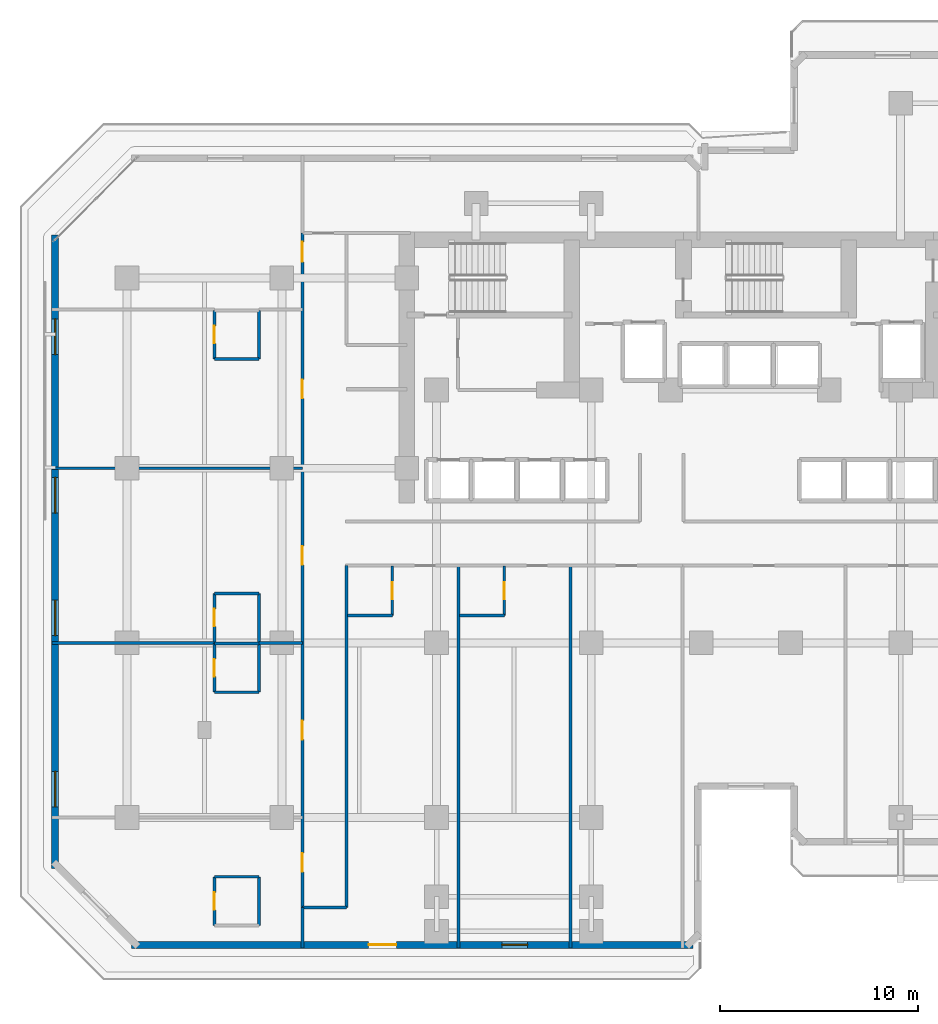
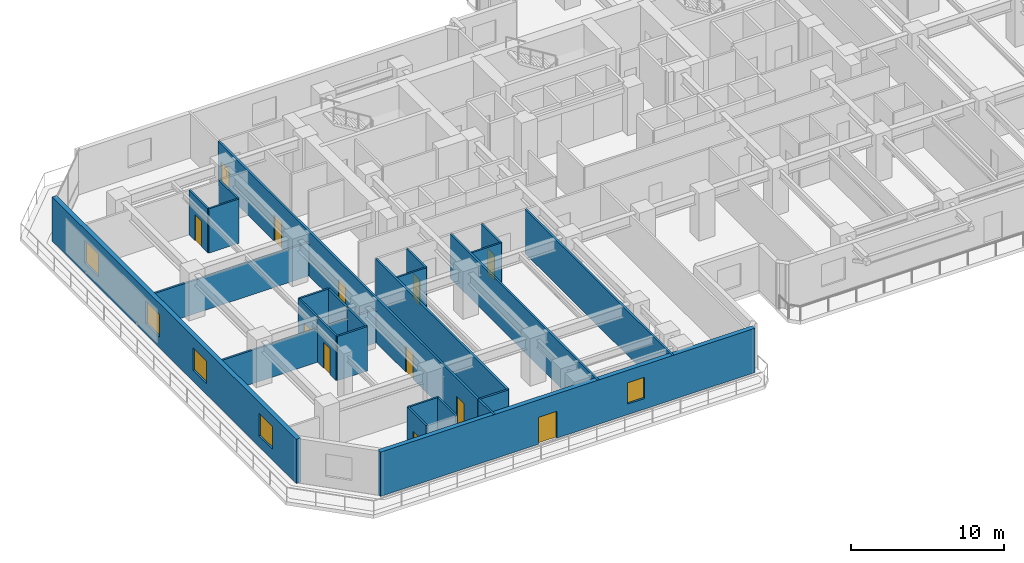
# One storey, part 6 of 12: 28 walls, 12 doors, 5 windows, 17 openings.
"""IFC4 building model written with IfcOpenShell, lengths in metres."""

from ifc_helpers import new_model, si_unit, direction, frame, frame_2d, origin, place, context, subcontext, project, spatial, rectangle, extrude, material, layer, layer_set, type_object, element, fill, save


model = new_model("IFC4")

# Units and contexts
model_context = context("Model", 3, precision=1e-05, world=origin(), true_north=direction((0.0, 1.0)))
body_context = subcontext(model_context, "Body", "Model", "MODEL_VIEW")
ifc_project = project(units=[si_unit("LENGTHUNIT", "METRE"), si_unit("AREAUNIT", "SQUARE_METRE"), si_unit("VOLUMEUNIT", "CUBIC_METRE"), si_unit("PLANEANGLEUNIT", "RADIAN"), si_unit("MASSUNIT", "GRAM", prefix="KILO")], contexts=[model_context])

# Site, building, storey
site_placement = place(None, origin())
site = spatial("IfcSite", under=ifc_project, at=site_placement, CompositionType="ELEMENT")
building_placement = place(site_placement, origin())
building = spatial("IfcBuilding", under=site, at=building_placement, Name="Kestravale Grand Hotel", CompositionType="ELEMENT")
storey_placement = place(building_placement, frame((0.0, 0.0, 80.39990234375)))
storey = spatial("IfcBuildingStorey", under=building, at=storey_placement, Name="L19", CompositionType="ELEMENT", Elevation=80.39990234375)

# Wall, openings, door, window
ifc_material_1 = material(Name="Precast concrete f'c 45 MPa", Category="concrete")
ifc_layer_1 = layer(ifc_material_1, 0.340087890625)
ifc_layer_set_1 = layer_set([ifc_layer_1], Name="EW-PREC-340")
wall_type_1 = type_object("IfcWallType", Name="EW-PREC-340", PredefinedType="SOLIDWALL", material=ifc_layer_set_1)
wall_1_placement = place(storey_placement, frame((8.030029296875, 4.77001953125, 0.0), z_axis=(0.0, 0.0, 1.0), x_axis=(1.0, 0.0, 0.0)))
wall_1 = element("IfcWall", 1, at=wall_1_placement, inside=storey, type_object=wall_type_1, Name="L19 fluted precast facade wall 1", PredefinedType="SOLIDWALL", context=body_context, shape_type="SweptSolid", body=[
    extrude(rectangle(XDim=28.2900390625, YDim=0.340087890625, at=frame_2d((14.14501953125, 0.0))), origin(), (0.0, 0.0, 1.0), 3.5400390625),
])
opening_1_placement = place(wall_1_placement, frame((11.945068359375, 0.0, 0.0)))
opening_1 = element("IfcOpeningElement", 2, at=opening_1_placement, cuts=wall_1, Name="Opening D-TERR-1400", PredefinedType="OPENING", context=body_context, shape_type="SweptSolid", body=[
    extrude(rectangle(XDim=1.39990234375, YDim=2.14990234375, at=frame_2d((0.699951171875, 1.074951171875))), frame((0.0, 0.179931640625, 0.0), z_axis=(0.0, -1.0, 0.0), x_axis=(1.0, 0.0, 0.0)), (0.0, 0.0, 1.0), 0.360107421875),
])
opening_2_placement = place(wall_1_placement, frame((18.659912109375, 0.0, 0.85009765625)))
opening_2 = element("IfcOpeningElement", 3, at=opening_2_placement, cuts=wall_1, Name="Opening W-GUEST-1300", PredefinedType="OPENING", context=body_context, shape_type="SweptSolid", body=[
    extrude(rectangle(XDim=1.300048828125, YDim=1.699951171875, at=frame_2d((0.64990234375, 0.85009765625))), frame((0.0, 0.179931640625, 0.0), z_axis=(0.0, -1.0, 0.0), x_axis=(1.0, 0.0, 0.0)), (0.0, 0.0, 1.0), 0.360107421875),
])
ifc_material_2 = material(Name="Insulated glazed champagne-bronze aluminium door", Category="aluminium")
door_type_1 = type_object("IfcDoorType", Name="D-TERR-1400", OperationType="NOTDEFINED", PredefinedType="DOOR", material=ifc_material_2)
door_1_placement = place(opening_1_placement, origin())
door_1 = element("IfcDoor", 4, at=door_1_placement, inside=storey, type_object=door_type_1, Name="L19 outdoor garden terrace door", OperationType="DOUBLE_DOOR_SINGLE_SWING", OverallHeight=2.14990234375, OverallWidth=1.39990234375, PredefinedType="DOOR", context=body_context, shape_type="SweptSolid", body=[
    extrude(rectangle(XDim=1.39990234375, YDim=2.14990234375, at=frame_2d((0.699951171875, 1.074951171875))), frame((0.0, 0.02490234375, 0.0), z_axis=(0.0, -1.0, 0.0), x_axis=(1.0, 0.0, 0.0)), (0.0, 0.0, 1.0), 0.050048828125),
])
fill(opening_1, door_1)
ifc_material_3 = material(Name="Insulated low-E double glazing in aluminium frame", Category="aluminium")
window_type_1 = type_object("IfcWindowType", Name="W-GUEST-1300", PartitioningType="SINGLE_PANEL", PredefinedType="WINDOW", material=ifc_material_3)
window_1_placement = place(opening_2_placement, origin())
window_1 = element("IfcWindow", 5, at=window_1_placement, inside=storey, type_object=window_type_1, Name="L19 guestroom envelope window 1", OverallHeight=1.699951171875, OverallWidth=1.300048828125, PartitioningType="SINGLE_PANEL", PredefinedType="WINDOW", context=body_context, shape_type="SweptSolid", body=[
    extrude(rectangle(XDim=1.300048828125, YDim=1.699951171875, at=frame_2d((0.64990234375, 0.85009765625))), frame((0.0, 0.030029296875, 0.0), z_axis=(0.0, -1.0, 0.0), x_axis=(1.0, 0.0, 0.0)), (0.0, 0.0, 1.0), 0.06005859375),
])
fill(opening_2, window_1)

# Wall, openings, windows
wall_2_placement = place(storey_placement, frame((4.169921875, 40.570068359375, 0.0), z_axis=(0.0, 0.0, 1.0), x_axis=(0.0, -1.0, 0.0)))
wall_2 = element("IfcWall", 6, at=wall_2_placement, inside=storey, type_object=wall_type_1, Name="L19 fluted precast facade wall 19", PredefinedType="SOLIDWALL", context=body_context, shape_type="SweptSolid", body=[
    extrude(rectangle(XDim=31.940185546875, YDim=0.340087890625, at=frame_2d((15.97021484375, 0.0))), origin(), (0.0, 0.0, 1.0), 3.5400390625),
])
opening_3_placement = place(wall_2_placement, frame((4.242431640625, 0.0, 0.85009765625)))
opening_3 = element("IfcOpeningElement", 7, at=opening_3_placement, cuts=wall_2, Name="Opening W-GUEST-1800", PredefinedType="OPENING", context=body_context, shape_type="SweptSolid", body=[
    extrude(rectangle(XDim=1.800048828125, YDim=1.800048828125, at=frame_2d((0.89990234375, 0.89990234375))), frame((0.0, 0.179931640625, 0.0), z_axis=(0.0, -1.0, 0.0), x_axis=(1.0, 0.0, 0.0)), (0.0, 0.0, 1.0), 0.360107421875),
])
opening_4_placement = place(wall_2_placement, frame((12.2275390625, 0.0, 0.85009765625)))
opening_4 = element("IfcOpeningElement", 8, at=opening_4_placement, cuts=wall_2, Name="Opening W-GUEST-1800", PredefinedType="OPENING", context=body_context, shape_type="SweptSolid", body=[
    extrude(rectangle(XDim=1.800048828125, YDim=1.800048828125, at=frame_2d((0.89990234375, 0.89990234375))), frame((0.0, 0.179931640625, 0.0), z_axis=(0.0, -1.0, 0.0), x_axis=(1.0, 0.0, 0.0)), (0.0, 0.0, 1.0), 0.360107421875),
])
opening_5_placement = place(wall_2_placement, frame((18.41259765625, 0.0, 0.85009765625)))
opening_5 = element("IfcOpeningElement", 9, at=opening_5_placement, cuts=wall_2, Name="Opening W-GUEST-1800", PredefinedType="OPENING", context=body_context, shape_type="SweptSolid", body=[
    extrude(rectangle(XDim=1.800048828125, YDim=1.800048828125, at=frame_2d((0.89990234375, 0.89990234375))), frame((0.0, 0.179931640625, 0.0), z_axis=(0.0, -1.0, 0.0), x_axis=(1.0, 0.0, 0.0)), (0.0, 0.0, 1.0), 0.360107421875),
])
opening_6_placement = place(wall_2_placement, frame((27.047607421875, 0.0, 0.85009765625)))
opening_6 = element("IfcOpeningElement", 10, at=opening_6_placement, cuts=wall_2, Name="Opening W-GUEST-1800", PredefinedType="OPENING", context=body_context, shape_type="SweptSolid", body=[
    extrude(rectangle(XDim=1.800048828125, YDim=1.800048828125, at=frame_2d((0.89990234375, 0.89990234375))), frame((0.0, 0.179931640625, 0.0), z_axis=(0.0, -1.0, 0.0), x_axis=(1.0, 0.0, 0.0)), (0.0, 0.0, 1.0), 0.360107421875),
])
ifc_material_4 = material(Name="Insulated low-E double glazing in aluminium frame", Category="aluminium")
window_type_2 = type_object("IfcWindowType", Name="W-GUEST-1800", PartitioningType="DOUBLE_PANEL_VERTICAL", PredefinedType="WINDOW", material=ifc_material_4)
window_2_placement = place(opening_3_placement, origin())
window_2 = element("IfcWindow", 11, at=window_2_placement, inside=storey, type_object=window_type_2, Name="L19 exterior window 19.1", OverallHeight=1.800048828125, OverallWidth=1.800048828125, PartitioningType="SINGLE_PANEL", PredefinedType="WINDOW", context=body_context, shape_type="SweptSolid", body=[
    extrude(rectangle(XDim=1.800048828125, YDim=1.800048828125, at=frame_2d((0.89990234375, 0.89990234375))), frame((0.0, 0.030029296875, 0.0), z_axis=(0.0, -1.0, 0.0), x_axis=(1.0, 0.0, 0.0)), (0.0, 0.0, 1.0), 0.06005859375),
])
fill(opening_3, window_2)
window_3_placement = place(opening_4_placement, origin())
window_3 = element("IfcWindow", 12, at=window_3_placement, inside=storey, type_object=window_type_2, Name="L19 exterior window 19.2", OverallHeight=1.800048828125, OverallWidth=1.800048828125, PartitioningType="SINGLE_PANEL", PredefinedType="WINDOW", context=body_context, shape_type="SweptSolid", body=[
    extrude(rectangle(XDim=1.800048828125, YDim=1.800048828125, at=frame_2d((0.89990234375, 0.89990234375))), frame((0.0, 0.030029296875, 0.0), z_axis=(0.0, -1.0, 0.0), x_axis=(1.0, 0.0, 0.0)), (0.0, 0.0, 1.0), 0.06005859375),
])
fill(opening_4, window_3)
window_4_placement = place(opening_5_placement, origin())
window_4 = element("IfcWindow", 13, at=window_4_placement, inside=storey, type_object=window_type_2, Name="L19 exterior window 19.3", OverallHeight=1.800048828125, OverallWidth=1.800048828125, PartitioningType="SINGLE_PANEL", PredefinedType="WINDOW", context=body_context, shape_type="SweptSolid", body=[
    extrude(rectangle(XDim=1.800048828125, YDim=1.800048828125, at=frame_2d((0.89990234375, 0.89990234375))), frame((0.0, 0.030029296875, 0.0), z_axis=(0.0, -1.0, 0.0), x_axis=(1.0, 0.0, 0.0)), (0.0, 0.0, 1.0), 0.06005859375),
])
fill(opening_5, window_4)
window_5_placement = place(opening_6_placement, origin())
window_5 = element("IfcWindow", 14, at=window_5_placement, inside=storey, type_object=window_type_2, Name="L19 exterior window 19.4", OverallHeight=1.800048828125, OverallWidth=1.800048828125, PartitioningType="SINGLE_PANEL", PredefinedType="WINDOW", context=body_context, shape_type="SweptSolid", body=[
    extrude(rectangle(XDim=1.800048828125, YDim=1.800048828125, at=frame_2d((0.89990234375, 0.89990234375))), frame((0.0, 0.030029296875, 0.0), z_axis=(0.0, -1.0, 0.0), x_axis=(1.0, 0.0, 0.0)), (0.0, 0.0, 1.0), 0.06005859375),
])
fill(opening_6, window_5)

# Wall, openings, doors
ifc_material_5 = material(Name="Acoustic fire-rated gypsum board partition", Category="other")
ifc_layer_2 = layer(ifc_material_5, 0.159912109375)
ifc_layer_set_2 = layer_set([ifc_layer_2], Name="IW-CORR-160")
wall_type_2 = type_object("IfcWallType", Name="IW-CORR-160", PredefinedType="PARTITIONING", material=ifc_layer_set_2)
wall_3_placement = place(storey_placement, frame((16.639892578125, 6.64990234375, 0.0), z_axis=(0.0, 0.0, 1.0), x_axis=(0.0, 1.0, 0.0)))
wall_3 = element("IfcWall", 15, at=wall_3_placement, inside=storey, type_object=wall_type_2, Name="W-L19-SW-W", PredefinedType="PARTITIONING", context=body_context, shape_type="SweptSolid", body=[
    extrude(rectangle(XDim=34.0, YDim=0.159912109375, at=frame_2d((17.0, 0.0))), origin(), (0.0, 0.0, 1.0), 3.5400390625),
])
opening_7_placement = place(wall_3_placement, frame((1.800048828125, 0.0, 0.0)))
opening_7 = element("IfcOpeningElement", 16, at=opening_7_placement, cuts=wall_3, Name="Opening D-GUEST-950", PredefinedType="OPENING", context=body_context, shape_type="SweptSolid", body=[
    extrude(rectangle(XDim=0.949951171875, YDim=2.10009765625, at=frame_2d((0.47509765625, 1.050048828125))), frame((0.0, 0.08984375, 0.0), z_axis=(0.0, -1.0, 0.0), x_axis=(1.0, 0.0, 0.0)), (0.0, 0.0, 1.0), 0.179931640625),
])
opening_8_placement = place(wall_3_placement, frame((8.47509765625, 0.0, 0.0)))
opening_8 = element("IfcOpeningElement", 17, at=opening_8_placement, cuts=wall_3, Name="Opening D-GUEST-950", PredefinedType="OPENING", context=body_context, shape_type="SweptSolid", body=[
    extrude(rectangle(XDim=0.949951171875, YDim=2.10009765625, at=frame_2d((0.47509765625, 1.050048828125))), frame((0.0, 0.08984375, 0.0), z_axis=(0.0, -1.0, 0.0), x_axis=(1.0, 0.0, 0.0)), (0.0, 0.0, 1.0), 0.179931640625),
])
opening_9_placement = place(wall_3_placement, frame((17.27490234375, 0.0, 0.0)))
opening_9 = element("IfcOpeningElement", 18, at=opening_9_placement, cuts=wall_3, Name="Opening D-GUEST-950", PredefinedType="OPENING", context=body_context, shape_type="SweptSolid", body=[
    extrude(rectangle(XDim=0.949951171875, YDim=2.10009765625, at=frame_2d((0.47509765625, 1.050048828125))), frame((0.0, 0.08984375, 0.0), z_axis=(0.0, -1.0, 0.0), x_axis=(1.0, 0.0, 0.0)), (0.0, 0.0, 1.0), 0.179931640625),
])
opening_10_placement = place(wall_3_placement, frame((25.675048828125, 0.0, 0.0)))
opening_10 = element("IfcOpeningElement", 19, at=opening_10_placement, cuts=wall_3, Name="Opening D-GUEST-950", PredefinedType="OPENING", context=body_context, shape_type="SweptSolid", body=[
    extrude(rectangle(XDim=0.949951171875, YDim=2.10009765625, at=frame_2d((0.47509765625, 1.050048828125))), frame((0.0, 0.08984375, 0.0), z_axis=(0.0, -1.0, 0.0), x_axis=(1.0, 0.0, 0.0)), (0.0, 0.0, 1.0), 0.179931640625),
])
opening_11_placement = place(wall_3_placement, frame((32.56005859375, 0.0, 0.0)))
opening_11 = element("IfcOpeningElement", 20, at=opening_11_placement, cuts=wall_3, Name="Opening D-GUEST-1000", PredefinedType="OPENING", context=body_context, shape_type="SweptSolid", body=[
    extrude(rectangle(XDim=1.0, YDim=2.14990234375, at=frame_2d((0.5, 1.074951171875))), frame((0.0, 0.08984375, 0.0), z_axis=(0.0, -1.0, 0.0), x_axis=(1.0, 0.0, 0.0)), (0.0, 0.0, 1.0), 0.179931640625),
])
ifc_material_6 = material(Name="Accessible walnut veneer hotel entrance fire door", Category="wood")
door_type_2 = type_object("IfcDoorType", Name="D-GUEST-1000", OperationType="NOTDEFINED", PredefinedType="DOOR", material=ifc_material_6)
door_2_placement = place(opening_11_placement, origin())
door_2 = element("IfcDoor", 21, at=door_2_placement, inside=storey, type_object=door_type_2, Name="D-L19-AMWW", OperationType="SINGLE_SWING_RIGHT", OverallHeight=2.14990234375, OverallWidth=1.0, PredefinedType="DOOR", context=body_context, shape_type="SweptSolid", body=[
    extrude(rectangle(XDim=1.0, YDim=2.14990234375, at=frame_2d((0.5, 1.074951171875))), frame((0.0, 0.02490234375, 0.0), z_axis=(0.0, -1.0, 0.0), x_axis=(1.0, 0.0, 0.0)), (0.0, 0.0, 1.0), 0.050048828125),
])
fill(opening_11, door_2)
ifc_material_7 = material(Name="Walnut veneer hotel guestroom entrance fire door", Category="wood")
door_type_3 = type_object("IfcDoorType", Name="D-GUEST-950", OperationType="NOTDEFINED", PredefinedType="DOOR", material=ifc_material_7)
door_3_placement = place(opening_7_placement, origin())
door_3 = element("IfcDoor", 22, at=door_3_placement, inside=storey, type_object=door_type_3, Name="D-L19-U05-ENT", OperationType="SINGLE_SWING_LEFT", OverallHeight=2.10009765625, OverallWidth=0.949951171875, PredefinedType="DOOR", context=body_context, shape_type="SweptSolid", body=[
    extrude(rectangle(XDim=0.949951171875, YDim=2.10009765625, at=frame_2d((0.47509765625, 1.050048828125))), frame((0.0, 0.02490234375, 0.0), z_axis=(0.0, -1.0, 0.0), x_axis=(1.0, 0.0, 0.0)), (0.0, 0.0, 1.0), 0.050048828125),
])
fill(opening_7, door_3)
door_4_placement = place(opening_8_placement, origin())
door_4 = element("IfcDoor", 23, at=door_4_placement, inside=storey, type_object=door_type_3, Name="D-L19-U06-ENT", OperationType="SINGLE_SWING_LEFT", OverallHeight=2.10009765625, OverallWidth=0.949951171875, PredefinedType="DOOR", context=body_context, shape_type="SweptSolid", body=[
    extrude(rectangle(XDim=0.949951171875, YDim=2.10009765625, at=frame_2d((0.47509765625, 1.050048828125))), frame((0.0, 0.02490234375, 0.0), z_axis=(0.0, -1.0, 0.0), x_axis=(1.0, 0.0, 0.0)), (0.0, 0.0, 1.0), 0.050048828125),
])
fill(opening_8, door_4)
door_5_placement = place(opening_9_placement, origin())
door_5 = element("IfcDoor", 24, at=door_5_placement, inside=storey, type_object=door_type_3, Name="D-L19-U07-ENT", OperationType="SINGLE_SWING_LEFT", OverallHeight=2.10009765625, OverallWidth=0.949951171875, PredefinedType="DOOR", context=body_context, shape_type="SweptSolid", body=[
    extrude(rectangle(XDim=0.949951171875, YDim=2.10009765625, at=frame_2d((0.47509765625, 1.050048828125))), frame((0.0, 0.02490234375, 0.0), z_axis=(0.0, -1.0, 0.0), x_axis=(1.0, 0.0, 0.0)), (0.0, 0.0, 1.0), 0.050048828125),
])
fill(opening_9, door_5)
door_6_placement = place(opening_10_placement, origin())
door_6 = element("IfcDoor", 25, at=door_6_placement, inside=storey, type_object=door_type_3, Name="D-L19-U08-ENT", OperationType="SINGLE_SWING_LEFT", OverallHeight=2.10009765625, OverallWidth=0.949951171875, PredefinedType="DOOR", context=body_context, shape_type="SweptSolid", body=[
    extrude(rectangle(XDim=0.949951171875, YDim=2.10009765625, at=frame_2d((0.47509765625, 1.050048828125))), frame((0.0, 0.02490234375, 0.0), z_axis=(0.0, -1.0, 0.0), x_axis=(1.0, 0.0, 0.0)), (0.0, 0.0, 1.0), 0.050048828125),
])
fill(opening_10, door_6)

# Wall
wall_4_placement = place(storey_placement, frame((18.860107421875, 6.64990234375, 0.0), z_axis=(0.0, 0.0, 1.0), x_axis=(0.0, 1.0, 0.0)))
element("IfcWall", 26, at=wall_4_placement, inside=storey, type_object=wall_type_2, Name="W-L19-SW-E", PredefinedType="PARTITIONING", context=body_context, shape_type="SweptSolid", body=[
    extrude(rectangle(XDim=17.239990234375, YDim=0.159912109375, at=frame_2d((8.6201171875, 0.0))), origin(), (0.0, 0.0, 1.0), 3.5400390625),
])

# Wall, opening, door
ifc_material_8 = material(Name="Moisture-resistant tile-backer plumbing chase wall", Category="other")
ifc_layer_3 = layer(ifc_material_8, 0.139892578125)
ifc_layer_set_3 = layer_set([ifc_layer_3], Name="IW-PLB-140")
wall_type_3 = type_object("IfcWallType", Name="IW-PLB-140", PredefinedType="PLUMBINGWALL", material=ifc_layer_set_3)
wall_5_placement = place(storey_placement, frame((21.169921875, 21.3798828125, 0.0), z_axis=(0.0, 0.0, 1.0), x_axis=(0.0, 1.0, 0.0)))
wall_5 = element("IfcWall", 27, at=wall_5_placement, inside=storey, type_object=wall_type_3, Name="W-L19-U01-BE", PredefinedType="PLUMBINGWALL", context=body_context, shape_type="SweptSolid", body=[
    extrude(rectangle(XDim=2.490234375, YDim=0.139892578125, at=frame_2d((1.2451171875, 0.0))), origin(), (0.0, 0.0, 1.0), 3.5400390625),
])
opening_12_placement = place(wall_5_placement, frame((0.804931640625, 0.0, 0.0)))
opening_12 = element("IfcOpeningElement", 28, at=opening_12_placement, cuts=wall_5, Name="Opening D-BATH-880", PredefinedType="OPENING", context=body_context, shape_type="SweptSolid", body=[
    extrude(rectangle(XDim=0.8798828125, YDim=2.050048828125, at=frame_2d((0.43994140625, 1.02490234375))), frame((0.0, 0.079833984375, 0.0), z_axis=(0.0, -1.0, 0.0), x_axis=(1.0, 0.0, 0.0)), (0.0, 0.0, 1.0), 0.159912109375),
])
ifc_material_9 = material(Name="Moisture-sealed walnut en-suite bathroom door", Category="wood")
door_type_4 = type_object("IfcDoorType", Name="D-BATH-880", OperationType="NOTDEFINED", PredefinedType="DOOR", material=ifc_material_9)
door_7_placement = place(opening_12_placement, origin())
door_7 = element("IfcDoor", 29, at=door_7_placement, inside=storey, type_object=door_type_4, Name="D-L19-U01-BATH", OperationType="SINGLE_SWING_RIGHT", OverallHeight=2.050048828125, OverallWidth=0.8798828125, PredefinedType="DOOR", context=body_context, shape_type="SweptSolid", body=[
    extrude(rectangle(XDim=0.8798828125, YDim=2.050048828125, at=frame_2d((0.43994140625, 1.02490234375))), frame((0.0, 0.02490234375, 0.0), z_axis=(0.0, -1.0, 0.0), x_axis=(1.0, 0.0, 0.0)), (0.0, 0.0, 1.0), 0.050048828125),
])
fill(opening_12, door_7)

# Wall
wall_6_placement = place(storey_placement, frame((18.919921875, 21.3798828125, 0.0), z_axis=(0.0, 0.0, 1.0), x_axis=(1.0, 0.0, 0.0)))
element("IfcWall", 30, at=wall_6_placement, inside=storey, type_object=wall_type_3, Name="W-L19-U01-BS", PredefinedType="PLUMBINGWALL", context=body_context, shape_type="SweptSolid", body=[
    extrude(rectangle(XDim=2.25, YDim=0.139892578125, at=frame_2d((1.125, 0.0))), origin(), (0.0, 0.0, 1.0), 3.5400390625),
])

# Wall, opening, door
wall_7_placement = place(storey_placement, frame((26.816650390625, 21.3798828125, 0.0), z_axis=(0.0, 0.0, 1.0), x_axis=(0.0, 1.0, 0.0)))
wall_7 = element("IfcWall", 31, at=wall_7_placement, inside=storey, type_object=wall_type_3, Name="W-L19-U02-BE", PredefinedType="PLUMBINGWALL", context=body_context, shape_type="SweptSolid", body=[
    extrude(rectangle(XDim=2.490234375, YDim=0.139892578125, at=frame_2d((1.2451171875, 0.0))), origin(), (0.0, 0.0, 1.0), 3.5400390625),
])
opening_13_placement = place(wall_7_placement, frame((0.804931640625, 0.0, 0.0)))
opening_13 = element("IfcOpeningElement", 32, at=opening_13_placement, cuts=wall_7, Name="Opening D-BATH-880", PredefinedType="OPENING", context=body_context, shape_type="SweptSolid", body=[
    extrude(rectangle(XDim=0.8798828125, YDim=2.050048828125, at=frame_2d((0.43994140625, 1.02490234375))), frame((0.0, 0.079833984375, 0.0), z_axis=(0.0, -1.0, 0.0), x_axis=(1.0, 0.0, 0.0)), (0.0, 0.0, 1.0), 0.159912109375),
])
door_8_placement = place(opening_13_placement, origin())
door_8 = element("IfcDoor", 33, at=door_8_placement, inside=storey, type_object=door_type_4, Name="D-L19-U02-BATH", OperationType="SINGLE_SWING_RIGHT", OverallHeight=2.050048828125, OverallWidth=0.8798828125, PredefinedType="DOOR", context=body_context, shape_type="SweptSolid", body=[
    extrude(rectangle(XDim=0.8798828125, YDim=2.050048828125, at=frame_2d((0.43994140625, 1.02490234375))), frame((0.0, 0.02490234375, 0.0), z_axis=(0.0, -1.0, 0.0), x_axis=(1.0, 0.0, 0.0)), (0.0, 0.0, 1.0), 0.050048828125),
])
fill(opening_13, door_8)

# Wall
wall_8_placement = place(storey_placement, frame((24.566650390625, 21.3798828125, 0.0), z_axis=(0.0, 0.0, 1.0), x_axis=(1.0, 0.0, 0.0)))
element("IfcWall", 34, at=wall_8_placement, inside=storey, type_object=wall_type_3, Name="W-L19-U02-BS", PredefinedType="PLUMBINGWALL", context=body_context, shape_type="SweptSolid", body=[
    extrude(rectangle(XDim=2.25, YDim=0.139892578125, at=frame_2d((1.125, 0.0))), origin(), (0.0, 0.0, 1.0), 3.5400390625),
])

# Wall, opening, door
wall_9_placement = place(storey_placement, frame((12.199951171875, 5.75, 0.0), z_axis=(0.0, 0.0, 1.0), x_axis=(0.0, 1.0, 0.0)))
wall_9 = element("IfcWall", 35, at=wall_9_placement, inside=storey, type_object=wall_type_3, Name="W-L19-U05-BW", PredefinedType="PLUMBINGWALL", context=body_context, shape_type="SweptSolid", body=[
    extrude(rectangle(XDim=2.449951171875, YDim=0.139892578125, at=frame_2d((1.22509765625, 0.0))), origin(), (0.0, 0.0, 1.0), 3.5400390625),
])
opening_14_placement = place(wall_9_placement, frame((0.784912109375, 0.0, 0.0)))
opening_14 = element("IfcOpeningElement", 36, at=opening_14_placement, cuts=wall_9, Name="Opening D-BATH-880", PredefinedType="OPENING", context=body_context, shape_type="SweptSolid", body=[
    extrude(rectangle(XDim=0.8798828125, YDim=2.050048828125, at=frame_2d((0.43994140625, 1.02490234375))), frame((0.0, 0.079833984375, 0.0), z_axis=(0.0, -1.0, 0.0), x_axis=(1.0, 0.0, 0.0)), (0.0, 0.0, 1.0), 0.159912109375),
])
door_9_placement = place(opening_14_placement, origin())
door_9 = element("IfcDoor", 37, at=door_9_placement, inside=storey, type_object=door_type_4, Name="D-L19-U05-BATH", OperationType="SINGLE_SWING_RIGHT", OverallHeight=2.050048828125, OverallWidth=0.8798828125, PredefinedType="DOOR", context=body_context, shape_type="SweptSolid", body=[
    extrude(rectangle(XDim=0.8798828125, YDim=2.050048828125, at=frame_2d((0.43994140625, 1.02490234375))), frame((0.0, 0.02490234375, 0.0), z_axis=(0.0, -1.0, 0.0), x_axis=(1.0, 0.0, 0.0)), (0.0, 0.0, 1.0), 0.050048828125),
])
fill(opening_14, door_9)

# Walls
wall_10_placement = place(storey_placement, frame((14.449951171875, 5.75, 0.0), z_axis=(0.0, 0.0, 1.0), x_axis=(0.0, 1.0, 0.0)))
element("IfcWall", 38, at=wall_10_placement, inside=storey, type_object=wall_type_3, Name="W-L19-U05-BE", PredefinedType="PLUMBINGWALL", context=body_context, shape_type="SweptSolid", body=[
    extrude(rectangle(XDim=2.449951171875, YDim=0.139892578125, at=frame_2d((1.22509765625, 0.0))), origin(), (0.0, 0.0, 1.0), 3.5400390625),
])
wall_11_placement = place(storey_placement, frame((12.199951171875, 8.199951171875, 0.0), z_axis=(0.0, 0.0, 1.0), x_axis=(1.0, 0.0, 0.0)))
element("IfcWall", 39, at=wall_11_placement, inside=storey, type_object=wall_type_3, Name="W-L19-U05-BN", PredefinedType="PLUMBINGWALL", context=body_context, shape_type="SweptSolid", body=[
    extrude(rectangle(XDim=2.25, YDim=0.139892578125, at=frame_2d((1.125, 0.0))), origin(), (0.0, 0.0, 1.0), 3.5400390625),
])

# Wall, opening, door
wall_12_placement = place(storey_placement, frame((12.199951171875, 17.510009765625, 0.0), z_axis=(0.0, 0.0, 1.0), x_axis=(0.0, 1.0, 0.0)))
wall_12 = element("IfcWall", 40, at=wall_12_placement, inside=storey, type_object=wall_type_3, Name="W-L19-U06-BW", PredefinedType="PLUMBINGWALL", context=body_context, shape_type="SweptSolid", body=[
    extrude(rectangle(XDim=2.449951171875, YDim=0.139892578125, at=frame_2d((1.22509765625, 0.0))), origin(), (0.0, 0.0, 1.0), 3.5400390625),
])
opening_15_placement = place(wall_12_placement, frame((0.784912109375, 0.0, 0.0)))
opening_15 = element("IfcOpeningElement", 41, at=opening_15_placement, cuts=wall_12, Name="Opening D-BATH-880", PredefinedType="OPENING", context=body_context, shape_type="SweptSolid", body=[
    extrude(rectangle(XDim=0.8798828125, YDim=2.050048828125, at=frame_2d((0.43994140625, 1.02490234375))), frame((0.0, 0.079833984375, 0.0), z_axis=(0.0, -1.0, 0.0), x_axis=(1.0, 0.0, 0.0)), (0.0, 0.0, 1.0), 0.159912109375),
])
door_10_placement = place(opening_15_placement, origin())
door_10 = element("IfcDoor", 42, at=door_10_placement, inside=storey, type_object=door_type_4, Name="D-L19-U06-BATH", OperationType="SINGLE_SWING_RIGHT", OverallHeight=2.050048828125, OverallWidth=0.8798828125, PredefinedType="DOOR", context=body_context, shape_type="SweptSolid", body=[
    extrude(rectangle(XDim=0.8798828125, YDim=2.050048828125, at=frame_2d((0.43994140625, 1.02490234375))), frame((0.0, 0.02490234375, 0.0), z_axis=(0.0, -1.0, 0.0), x_axis=(1.0, 0.0, 0.0)), (0.0, 0.0, 1.0), 0.050048828125),
])
fill(opening_15, door_10)

# Walls
wall_13_placement = place(storey_placement, frame((14.449951171875, 17.510009765625, 0.0), z_axis=(0.0, 0.0, 1.0), x_axis=(0.0, 1.0, 0.0)))
element("IfcWall", 43, at=wall_13_placement, inside=storey, type_object=wall_type_3, Name="W-L19-U06-BE", PredefinedType="PLUMBINGWALL", context=body_context, shape_type="SweptSolid", body=[
    extrude(rectangle(XDim=2.449951171875, YDim=0.139892578125, at=frame_2d((1.22509765625, 0.0))), origin(), (0.0, 0.0, 1.0), 3.5400390625),
])
wall_14_placement = place(storey_placement, frame((12.199951171875, 17.510009765625, 0.0), z_axis=(0.0, 0.0, 1.0), x_axis=(1.0, 0.0, 0.0)))
element("IfcWall", 44, at=wall_14_placement, inside=storey, type_object=wall_type_3, Name="W-L19-U06-BS", PredefinedType="PLUMBINGWALL", context=body_context, shape_type="SweptSolid", body=[
    extrude(rectangle(XDim=2.25, YDim=0.139892578125, at=frame_2d((1.125, 0.0))), origin(), (0.0, 0.0, 1.0), 3.5400390625),
])
wall_15_placement = place(storey_placement, frame((12.199951171875, 19.9599609375, 0.0), z_axis=(0.0, 0.0, 1.0), x_axis=(1.0, 0.0, 0.0)))
element("IfcWall", 45, at=wall_15_placement, inside=storey, type_object=wall_type_3, Name="W-L19-U06-BN", PredefinedType="PLUMBINGWALL", context=body_context, shape_type="SweptSolid", body=[
    extrude(rectangle(XDim=2.25, YDim=0.139892578125, at=frame_2d((1.125, 0.0))), origin(), (0.0, 0.0, 1.0), 2.67919921875),
])

# Wall, opening, door
wall_16_placement = place(storey_placement, frame((12.199951171875, 20.0400390625, 0.0), z_axis=(0.0, 0.0, 1.0), x_axis=(0.0, 1.0, 0.0)))
wall_16 = element("IfcWall", 46, at=wall_16_placement, inside=storey, type_object=wall_type_3, Name="W-L19-U07-BW", PredefinedType="PLUMBINGWALL", context=body_context, shape_type="SweptSolid", body=[
    extrude(rectangle(XDim=2.449951171875, YDim=0.139892578125, at=frame_2d((1.22509765625, 0.0))), origin(), (0.0, 0.0, 1.0), 3.5400390625),
])
opening_16_placement = place(wall_16_placement, frame((0.784912109375, 0.0, 0.0)))
opening_16 = element("IfcOpeningElement", 47, at=opening_16_placement, cuts=wall_16, Name="Opening D-BATH-880", PredefinedType="OPENING", context=body_context, shape_type="SweptSolid", body=[
    extrude(rectangle(XDim=0.8798828125, YDim=2.050048828125, at=frame_2d((0.43994140625, 1.02490234375))), frame((0.0, 0.079833984375, 0.0), z_axis=(0.0, -1.0, 0.0), x_axis=(1.0, 0.0, 0.0)), (0.0, 0.0, 1.0), 0.159912109375),
])
door_11_placement = place(opening_16_placement, origin())
door_11 = element("IfcDoor", 48, at=door_11_placement, inside=storey, type_object=door_type_4, Name="D-L19-U07-BATH", OperationType="SINGLE_SWING_RIGHT", OverallHeight=2.050048828125, OverallWidth=0.8798828125, PredefinedType="DOOR", context=body_context, shape_type="SweptSolid", body=[
    extrude(rectangle(XDim=0.8798828125, YDim=2.050048828125, at=frame_2d((0.43994140625, 1.02490234375))), frame((0.0, 0.02490234375, 0.0), z_axis=(0.0, -1.0, 0.0), x_axis=(1.0, 0.0, 0.0)), (0.0, 0.0, 1.0), 0.050048828125),
])
fill(opening_16, door_11)

# Walls
wall_17_placement = place(storey_placement, frame((14.449951171875, 20.0400390625, 0.0), z_axis=(0.0, 0.0, 1.0), x_axis=(0.0, 1.0, 0.0)))
element("IfcWall", 49, at=wall_17_placement, inside=storey, type_object=wall_type_3, Name="W-L19-U07-BE", PredefinedType="PLUMBINGWALL", context=body_context, shape_type="SweptSolid", body=[
    extrude(rectangle(XDim=2.449951171875, YDim=0.139892578125, at=frame_2d((1.22509765625, 0.0))), origin(), (0.0, 0.0, 1.0), 3.5400390625),
])
wall_18_placement = place(storey_placement, frame((12.199951171875, 22.489990234375, 0.0), z_axis=(0.0, 0.0, 1.0), x_axis=(1.0, 0.0, 0.0)))
element("IfcWall", 50, at=wall_18_placement, inside=storey, type_object=wall_type_3, Name="W-L19-U07-BN", PredefinedType="PLUMBINGWALL", context=body_context, shape_type="SweptSolid", body=[
    extrude(rectangle(XDim=2.25, YDim=0.139892578125, at=frame_2d((1.125, 0.0))), origin(), (0.0, 0.0, 1.0), 3.5400390625),
])

# Wall, opening, door
wall_19_placement = place(storey_placement, frame((12.199951171875, 34.31005859375, 0.0), z_axis=(0.0, 0.0, 1.0), x_axis=(0.0, 1.0, 0.0)))
wall_19 = element("IfcWall", 51, at=wall_19_placement, inside=storey, type_object=wall_type_3, Name="W-L19-U08-BW", PredefinedType="PLUMBINGWALL", context=body_context, shape_type="SweptSolid", body=[
    extrude(rectangle(XDim=2.449951171875, YDim=0.139892578125, at=frame_2d((1.22509765625, 0.0))), origin(), (0.0, 0.0, 1.0), 3.5400390625),
])
opening_17_placement = place(wall_19_placement, frame((0.784912109375, 0.0, 0.0)))
opening_17 = element("IfcOpeningElement", 52, at=opening_17_placement, cuts=wall_19, Name="Opening D-BATH-880", PredefinedType="OPENING", context=body_context, shape_type="SweptSolid", body=[
    extrude(rectangle(XDim=0.8798828125, YDim=2.050048828125, at=frame_2d((0.43994140625, 1.02490234375))), frame((0.0, 0.079833984375, 0.0), z_axis=(0.0, -1.0, 0.0), x_axis=(1.0, 0.0, 0.0)), (0.0, 0.0, 1.0), 0.159912109375),
])
door_12_placement = place(opening_17_placement, origin())
door_12 = element("IfcDoor", 53, at=door_12_placement, inside=storey, type_object=door_type_4, Name="D-L19-U08-BATH", OperationType="SINGLE_SWING_RIGHT", OverallHeight=2.050048828125, OverallWidth=0.8798828125, PredefinedType="DOOR", context=body_context, shape_type="SweptSolid", body=[
    extrude(rectangle(XDim=0.8798828125, YDim=2.050048828125, at=frame_2d((0.43994140625, 1.02490234375))), frame((0.0, 0.02490234375, 0.0), z_axis=(0.0, -1.0, 0.0), x_axis=(1.0, 0.0, 0.0)), (0.0, 0.0, 1.0), 0.050048828125),
])
fill(opening_17, door_12)

# Walls
wall_20_placement = place(storey_placement, frame((14.449951171875, 34.31005859375, 0.0), z_axis=(0.0, 0.0, 1.0), x_axis=(0.0, 1.0, 0.0)))
element("IfcWall", 54, at=wall_20_placement, inside=storey, type_object=wall_type_3, Name="W-L19-U08-BE", PredefinedType="PLUMBINGWALL", context=body_context, shape_type="SweptSolid", body=[
    extrude(rectangle(XDim=2.449951171875, YDim=0.139892578125, at=frame_2d((1.22509765625, 0.0))), origin(), (0.0, 0.0, 1.0), 3.5400390625),
])
wall_21_placement = place(storey_placement, frame((12.199951171875, 34.31005859375, 0.0), z_axis=(0.0, 0.0, 1.0), x_axis=(1.0, 0.0, 0.0)))
element("IfcWall", 55, at=wall_21_placement, inside=storey, type_object=wall_type_3, Name="W-L19-U08-BS", PredefinedType="PLUMBINGWALL", context=body_context, shape_type="SweptSolid", body=[
    extrude(rectangle(XDim=2.25, YDim=0.139892578125, at=frame_2d((1.125, 0.0))), origin(), (0.0, 0.0, 1.0), 3.5400390625),
])
ifc_material_10 = material(Name="Double-stud STC 52 acoustic demising partition", Category="other")
ifc_layer_4 = layer(ifc_material_10, 0.14990234375)
ifc_layer_set_4 = layer_set([ifc_layer_4], Name="IW-UNIT-150")
wall_type_4 = type_object("IfcWallType", Name="IW-UNIT-150", PredefinedType="PARTITIONING", material=ifc_layer_set_4)
wall_22_placement = place(storey_placement, frame((16.639892578125, 6.64990234375, 0.0), z_axis=(0.0, 0.0, 1.0), x_axis=(1.0, 0.0, 0.0)))
element("IfcWall", 56, at=wall_22_placement, inside=storey, type_object=wall_type_4, Name="W-L19-SW-S", PredefinedType="PARTITIONING", context=body_context, shape_type="SweptSolid", body=[
    extrude(rectangle(XDim=2.22021484375, YDim=0.14990234375, at=frame_2d((1.110107421875, 0.0))), origin(), (0.0, 0.0, 1.0), 3.5400390625),
])
for number, where, z_axis, x_axis, name in (
    (57, (24.506591796875, 4.6201171875, 0.0), (0.0, 0.0, 1.0), (0.0, 1.0, 0.0), "W-L19-WS-1"),
    (58, (30.1533203125, 4.6201171875, 0.0), (0.0, 0.0, 1.0), (0.0, 1.0, 0.0), "W-L19-WS-2"),
):
    element("IfcWall", number, at=place(storey_placement, frame(where, z_axis=z_axis, x_axis=x_axis)), inside=storey, type_object=wall_type_4, Name=name, PredefinedType="PARTITIONING", context=body_context, shape_type="SweptSolid", body=[
        extrude(rectangle(XDim=19.269775390625, YDim=0.14990234375, at=frame_2d((9.634765625, 0.0))), origin(), (0.0, 0.0, 1.0), 3.5400390625),
    ])
wall_23_placement = place(storey_placement, frame((16.639892578125, 4.6201171875, 0.0), z_axis=(0.0, 0.0, 1.0), x_axis=(0.0, 1.0, 0.0)))
element("IfcWall", 59, at=wall_23_placement, inside=storey, type_object=wall_type_4, Name="W-L19-SW-EXT", PredefinedType="PARTITIONING", context=body_context, shape_type="SweptSolid", body=[
    extrude(rectangle(XDim=2.02978515625, YDim=0.14990234375, at=frame_2d((1.014892578125, 0.0))), origin(), (0.0, 0.0, 1.0), 3.5400390625),
])
wall_24_placement = place(storey_placement, frame((4.02001953125, 20.0, 0.0), z_axis=(0.0, 0.0, 1.0), x_axis=(1.0, 0.0, 0.0)))
element("IfcWall", 60, at=wall_24_placement, inside=storey, type_object=wall_type_4, Name="W-L19-WW-2", PredefinedType="PARTITIONING", context=body_context, shape_type="SweptSolid", body=[
    extrude(rectangle(XDim=8.179931640625, YDim=0.14990234375, at=frame_2d((4.08984375, 0.0))), origin(), (0.0, 0.0, 1.0), 2.67919921875),
])
wall_25_placement = place(storey_placement, frame((14.449951171875, 20.0, 0.0), z_axis=(0.0, 0.0, 1.0), x_axis=(1.0, 0.0, 0.0)))
element("IfcWall", 61, at=wall_25_placement, inside=storey, type_object=wall_type_4, Name="W-L19-WW-2", PredefinedType="PARTITIONING", context=body_context, shape_type="SweptSolid", body=[
    extrude(rectangle(XDim=2.18994140625, YDim=0.14990234375, at=frame_2d((1.094970703125, 0.0))), origin(), (0.0, 0.0, 1.0), 2.67919921875),
])
wall_26_placement = place(storey_placement, frame((4.02001953125, 28.800048828125, 0.0), z_axis=(0.0, 0.0, 1.0), x_axis=(1.0, 0.0, 0.0)))
element("IfcWall", 62, at=wall_26_placement, inside=storey, type_object=wall_type_4, Name="W-L19-WW-3", PredefinedType="PARTITIONING", context=body_context, shape_type="SweptSolid", body=[
    extrude(rectangle(XDim=12.619873046875, YDim=0.14990234375, at=frame_2d((6.31005859375, 0.0))), origin(), (0.0, 0.0, 1.0), 2.67919921875),
])

save(model, "model.ifc")
